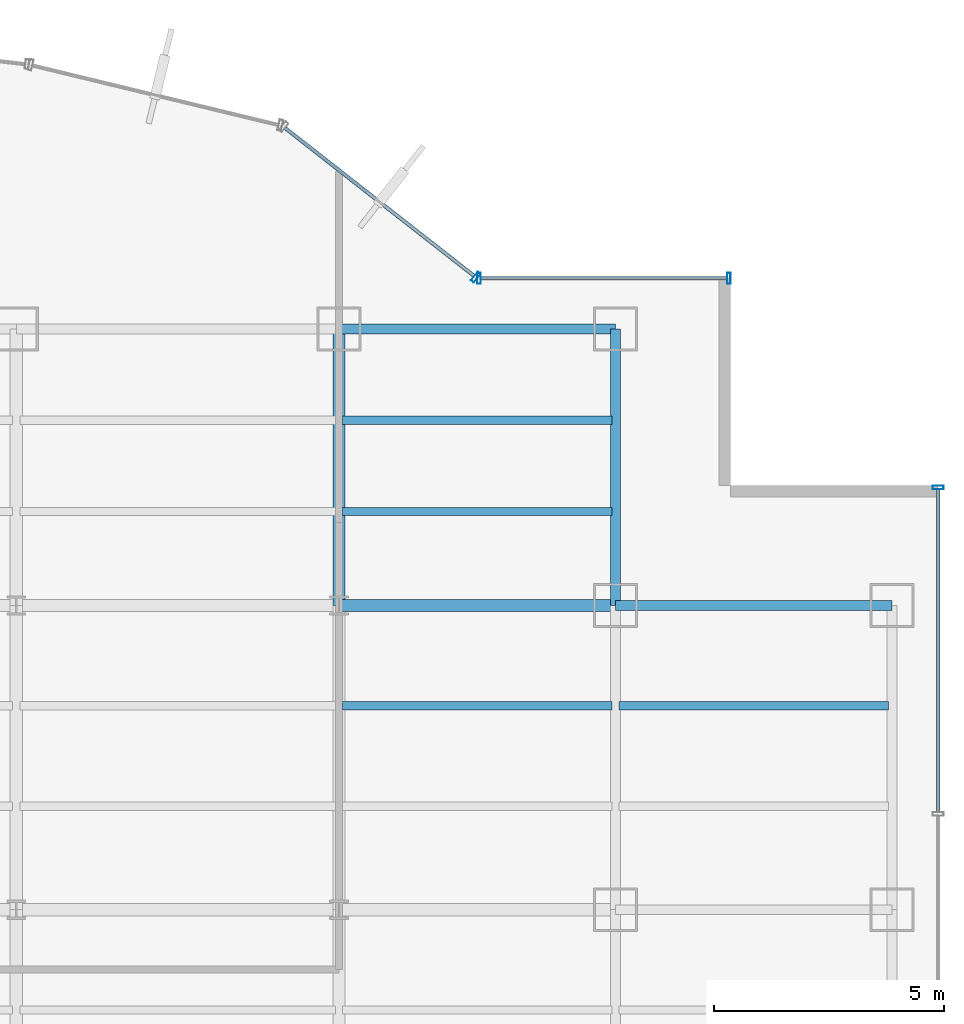
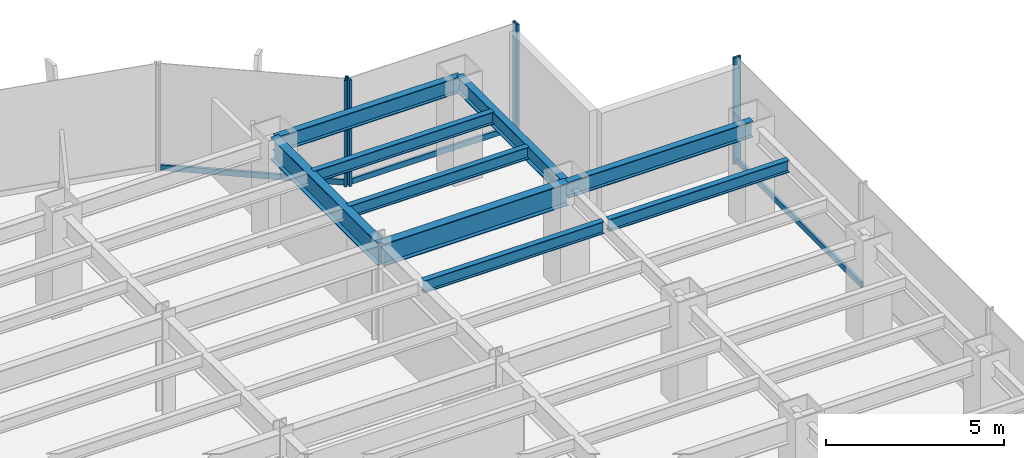
# One storey, part 15 of 22: 9 beams, 7 members, 3 elements without a shape of their own.
"""IFC4 building model written with IfcOpenShell, lengths in metres."""

from ifc_helpers import new_model, si_unit, derived_unit, direction, frame, origin, origin_2d, place, context, subcontext, project, spatial, hollow_rectangle, i_section, extrude, source, transform, mapped, material, material_profile, profile_set, type_object, element, aggregate, save


model = new_model("IFC4")

# Units and contexts
model_context = context("Model", 3, precision=1e-05, world=origin(), true_north=direction((0.0, 1.0)))
body_context = subcontext(model_context, "Body", "Model", "MODEL_VIEW")
ifc_project = project(units=[si_unit("LENGTHUNIT", "METRE"), si_unit("AREAUNIT", "SQUARE_METRE"), si_unit("VOLUMEUNIT", "CUBIC_METRE"), si_unit("PLANEANGLEUNIT", "RADIAN"), si_unit("MASSUNIT", "GRAM", prefix="KILO"), derived_unit("THERMALTRANSMITTANCEUNIT", [(si_unit("POWERUNIT", "WATT"), 1), (si_unit("LENGTHUNIT", "METRE"), -2), (si_unit("THERMODYNAMICTEMPERATUREUNIT", "KELVIN"), -1)])], contexts=[model_context])

# Site, building, storey
site_placement = place(None, origin())
site = spatial("IfcSite", under=ifc_project, at=site_placement, CompositionType="ELEMENT")
building_placement = place(site_placement, origin())
building = spatial("IfcBuilding", under=site, at=building_placement, Name="Skarnbrae Concourse Arena and Tower", CompositionType="ELEMENT")
storey_placement = place(building_placement, frame((0.0, 0.0, 61.699951171875)))
storey = spatial("IfcBuildingStorey", under=building, at=storey_placement, Name="L14", CompositionType="ELEMENT", Elevation=61.699951171875)

# Beams
ifc_material_1 = material(Name="Steel CSA G40.21 350W", Category="steel")
ifc_material_profile_1 = material_profile(ifc_material_1, i_section(OverallWidth=0.214111328125, OverallDepth=0.549072265625, WebThickness=0.0146484375, FlangeThickness=0.023681640625, at=origin_2d()), Name="W530X138")
ifc_profile_set_1 = profile_set([ifc_material_profile_1], Name="Steel CSA G40.21 350W")
beam_type_1 = type_object("IfcBeamType", Name="BM-SPAN-W530X138", PredefinedType="SPANDREL", material=ifc_profile_set_1)
shared_shape_1 = source(origin(), body_context, "Body", "SweptSolid", [
    extrude(i_section(OverallWidth=0.214111328125, OverallDepth=0.549072265625, WebThickness=0.0146484375, FlangeThickness=0.023681640625, at=origin_2d()), origin(), (0.0, 0.0, 1.0), 6.0),
])
for number, where, z_axis, x_axis, name in (
    (1, (55.0, 34.39990234375, 3.12548828125), (1.0, 0.0, 0.0), (0.0, 1.0, 0.0), "L14 Perimeter spandrel Y34.4-9"),
    (2, (49.0, 40.39990234375, 3.12548828125), (1.0, 0.0, 0.0), (0.0, 1.0, 0.0), "L14 Perimeter spandrel Y40.4-7"),
    (3, (55.0, 34.39990234375, 3.12548828125), (0.0, 1.0, 0.0), (-1.0, 0.0, 0.0), "L14 Perimeter spandrel X55.0-5"),
):
    element("IfcBeam", number, at=place(storey_placement, frame(where, z_axis=z_axis, x_axis=x_axis)), inside=storey, type_object=beam_type_1, Name=name, PredefinedType="SPANDREL", context=body_context, shape_type="MappedRepresentation", body=[
        mapped(shared_shape_1, transform((0.0, 0.0, 0.0))),
    ])
ifc_material_profile_2 = material_profile(ifc_material_1, i_section(OverallWidth=0.26806640625, OverallDepth=0.77001953125, WebThickness=0.015625, FlangeThickness=0.025390625, at=origin_2d()), Name="W760X196")
ifc_profile_set_2 = profile_set([ifc_material_profile_2], Name="Steel CSA G40.21 350W")
beam_type_2 = type_object("IfcBeamType", Name="BM-GIRD-W760X196", PredefinedType="BEAM", material=ifc_profile_set_2)
shared_shape_2 = source(origin(), body_context, "Body", "SweptSolid", [
    extrude(i_section(OverallWidth=0.26806640625, OverallDepth=0.77001953125, WebThickness=0.015625, FlangeThickness=0.025390625, at=origin_2d()), origin(), (0.0, 0.0, 1.0), 6.0),
])
for number, where, z_axis, x_axis, name in (
    (4, (49.0, 34.39990234375, 3.01513671875), (1.0, 0.0, 0.0), (0.0, 1.0, 0.0), "L14 Primary E-W girder Y34.4-8"),
    (5, (49.0, 34.39990234375, 3.01513671875), (0.0, 1.0, 0.0), (-1.0, 0.0, 0.0), "L14 Primary N-S girder X49.0-5"),
):
    element("IfcBeam", number, at=place(storey_placement, frame(where, z_axis=z_axis, x_axis=x_axis)), inside=storey, type_object=beam_type_2, Name=name, PredefinedType="BEAM", context=body_context, shape_type="MappedRepresentation", body=[
        mapped(shared_shape_2, transform((0.0, 0.0, 0.0))),
    ])
ifc_material_profile_3 = material_profile(ifc_material_1, i_section(OverallWidth=0.180908203125, OverallDepth=0.4169921875, WebThickness=0.010986328125, FlangeThickness=0.018310546875, at=origin_2d()), Name="W410X85")
ifc_profile_set_3 = profile_set([ifc_material_profile_3], Name="Steel CSA G40.21 350W")
beam_type_3 = type_object("IfcBeamType", Name="BM-JOIST-W410X85", PredefinedType="JOIST", material=ifc_profile_set_3)
shared_shape_3 = source(origin(), body_context, "Body", "SweptSolid", [
    extrude(i_section(OverallWidth=0.180908203125, OverallDepth=0.4169921875, WebThickness=0.010986328125, FlangeThickness=0.018310546875, at=origin_2d()), origin(), (0.0, 0.0, 1.0), 5.83984375),
])
for number, where, z_axis, x_axis, name in (
    (6, (49.080078125, 32.221923828125, 3.191650390625), (1.0, 0.0, 0.0), (0.0, 1.0, 0.0), "L14 Secondary floor joist 3.2.8"),
    (7, (55.080078125, 32.221923828125, 3.191650390625), (1.0, 0.0, 0.0), (0.0, 1.0, 0.0), "L14 Secondary floor joist 3.2.9"),
    (8, (49.080078125, 36.43994140625, 3.191650390625), (1.0, 0.0, 0.0), (0.0, 1.0, 0.0), "L14 Secondary floor joist 4.1.7"),
    (9, (49.080078125, 38.419921875, 3.191650390625), (1.0, 0.0, 0.0), (0.0, 1.0, 0.0), "L14 Secondary floor joist 4.2.7"),
):
    element("IfcBeam", number, at=place(storey_placement, frame(where, z_axis=z_axis, x_axis=x_axis)), inside=storey, type_object=beam_type_3, Name=name, PredefinedType="JOIST", context=body_context, shape_type="MappedRepresentation", body=[
        mapped(shared_shape_3, transform((0.0, 0.0, 0.0))),
    ])

# Curtain wall, member
ifc_material_2 = material(Name="Bronze anodised aluminium 6063-T6", Category="aluminium")
curtain_wall_type = type_object("IfcCurtainWallType", Name="CW-SYS-02-LOWZONE", PredefinedType="USERDEFINED", material=ifc_material_2)
curtain_wall_1_placement = place(storey_placement, origin())
curtain_wall_1 = element("IfcCurtainWall", 10, at=curtain_wall_1_placement, inside=storey, type_object=curtain_wall_type, Name="L14 Unitised curtain wall CW-L14-E04", ObjectType="UNITISED CURTAIN WALL", PredefinedType="USERDEFINED")
ifc_material_profile_4 = material_profile(ifc_material_2, hollow_rectangle(XDim=0.080078125, YDim=0.18994140625, WallThickness=0.0048828125, at=origin_2d()), Name="ALU-TRAN-80X190")
ifc_profile_set_4 = profile_set([ifc_material_profile_4], Name="Bronze anodised aluminium 6063-T6")
member_type_1 = type_object("IfcMemberType", Name="CWT-CW-02", PredefinedType="USERDEFINED", material=ifc_profile_set_4)
shared_shape_4 = source(origin(), body_context, "Body", "SweptSolid", [
    extrude(hollow_rectangle(XDim=0.080078125, YDim=0.18994140625, WallThickness=0.0048828125, at=origin_2d()), origin(), (0.0, 0.0, 1.0), 7.0048828125),
])
member_1_placement = place(storey_placement, frame((62.0, 29.9150390625, 0.094970703125), z_axis=(0.0, 1.0, 0.0), x_axis=(-1.0, 0.0, 0.0)))
member_1 = element("IfcMember", 11, at=member_1_placement, type_object=member_type_1, Name="CW-L14-E04 Transom 4", ObjectType="TRANSOM", PredefinedType="USERDEFINED", context=body_context, shape_type="MappedRepresentation", body=[
    mapped(shared_shape_4, transform((0.0, 0.0, 0.0))),
])

curtain_wall_2_placement = place(storey_placement, origin())
curtain_wall_2 = element("IfcCurtainWall", 12, at=curtain_wall_2_placement, inside=storey, type_object=curtain_wall_type, Name="L14 Unitised curtain wall CW-L14-E07", ObjectType="UNITISED CURTAIN WALL", PredefinedType="USERDEFINED")
shared_shape_5 = source(origin(), body_context, "Body", "SweptSolid", [
    extrude(hollow_rectangle(XDim=0.080078125, YDim=0.18994140625, WallThickness=0.0048828125, at=origin_2d()), origin(), (0.0, 0.0, 1.0), 5.33984375),
])
member_2_placement = place(storey_placement, frame((57.419921875, 41.5, 0.094970703125), z_axis=(-1.0, 0.0, 0.0), x_axis=(0.0, -1.0, 0.0)))
member_2 = element("IfcMember", 13, at=member_2_placement, type_object=member_type_1, Name="CW-L14-E07 Transom 1", ObjectType="TRANSOM", PredefinedType="USERDEFINED", context=body_context, shape_type="MappedRepresentation", body=[
    mapped(shared_shape_5, transform((0.0, 0.0, 0.0))),
])

curtain_wall_3_placement = place(storey_placement, origin())
curtain_wall_3 = element("IfcCurtainWall", 14, at=curtain_wall_3_placement, inside=storey, type_object=curtain_wall_type, Name="L14 Unitised curtain wall CW-L14-E08", ObjectType="UNITISED CURTAIN WALL", PredefinedType="USERDEFINED")
shared_shape_6 = source(origin(), body_context, "Body", "SweptSolid", [
    extrude(hollow_rectangle(XDim=0.080078125, YDim=0.18994140625, WallThickness=0.0048828125, at=origin_2d()), origin(), (0.0, 0.0, 1.0), 5.215087890625),
])
member_3_placement = place(storey_placement, frame((51.93701171875, 41.54931640625, 0.094970703125), z_axis=(-0.787650196702, 0.616122688784, 0.0), x_axis=(-0.616122688784, -0.787650196702, 0.0)))
member_3 = element("IfcMember", 15, at=member_3_placement, type_object=member_type_1, Name="CW-L14-E08 Transom 1", ObjectType="TRANSOM", PredefinedType="USERDEFINED", context=body_context, shape_type="MappedRepresentation", body=[
    mapped(shared_shape_6, transform((0.0, 0.0, 0.0))),
])

# Member
ifc_material_profile_5 = material_profile(ifc_material_2, hollow_rectangle(XDim=0.080078125, YDim=0.239990234375, WallThickness=0.0048828125, at=origin_2d()), Name="ALU-MULL-80X240")
ifc_profile_set_5 = profile_set([ifc_material_profile_5], Name="Bronze anodised aluminium 6063-T6")
member_type_2 = type_object("IfcMemberType", Name="CWM-CW-02", PredefinedType="MULLION", material=ifc_profile_set_5)
shared_shape_7 = source(origin(), body_context, "Body", "SweptSolid", [
    extrude(hollow_rectangle(XDim=0.080078125, YDim=0.239990234375, WallThickness=0.0048828125, at=origin_2d()), origin(), (0.0, 0.0, 1.0), 3.650146484375),
])
member_4_placement = place(storey_placement, frame((62.0, 36.9599609375, 0.0), z_axis=(0.0, 0.0, 1.0), x_axis=(0.0, 1.0, 0.0)))
member_4 = element("IfcMember", 16, at=member_4_placement, type_object=member_type_2, Name="CW-L14-E04 Mullion 5", PredefinedType="MULLION", context=body_context, shape_type="MappedRepresentation", body=[
    mapped(shared_shape_7, transform((0.0, 0.0, 0.0))),
])

aggregate(curtain_wall_1, [member_4, member_1])

member_5_placement = place(storey_placement, frame((57.4599609375, 41.5, 0.0), z_axis=(0.0, 0.0, 1.0), x_axis=(-1.0, 0.0, 0.0)))
member_5 = element("IfcMember", 17, at=member_5_placement, type_object=member_type_2, Name="CW-L14-E07 Mullion 1", PredefinedType="MULLION", context=body_context, shape_type="MappedRepresentation", body=[
    mapped(shared_shape_7, transform((0.0, 0.0, 0.0))),
])

member_6_placement = place(storey_placement, frame((52.0400390625, 41.5, 0.0), z_axis=(0.0, 0.0, 1.0), x_axis=(-1.0, 0.0, 0.0)))
member_6 = element("IfcMember", 18, at=member_6_placement, type_object=member_type_2, Name="CW-L14-E07 Mullion 2", PredefinedType="MULLION", context=body_context, shape_type="MappedRepresentation", body=[
    mapped(shared_shape_7, transform((0.0, 0.0, 0.0))),
])

aggregate(curtain_wall_2, [member_5, member_6, member_2])

member_7_placement = place(storey_placement, frame((51.968505859375, 41.524658203125, 0.0), z_axis=(0.0, 0.0, 1.0), x_axis=(-0.787651726054, 0.616120733658, 0.0)))
member_7 = element("IfcMember", 19, at=member_7_placement, type_object=member_type_2, Name="CW-L14-E08 Mullion 1", PredefinedType="MULLION", context=body_context, shape_type="MappedRepresentation", body=[
    mapped(shared_shape_7, transform((0.0, 0.0, 0.0))),
])

aggregate(curtain_wall_3, [member_7, member_3])

save(model, "model.ifc")
